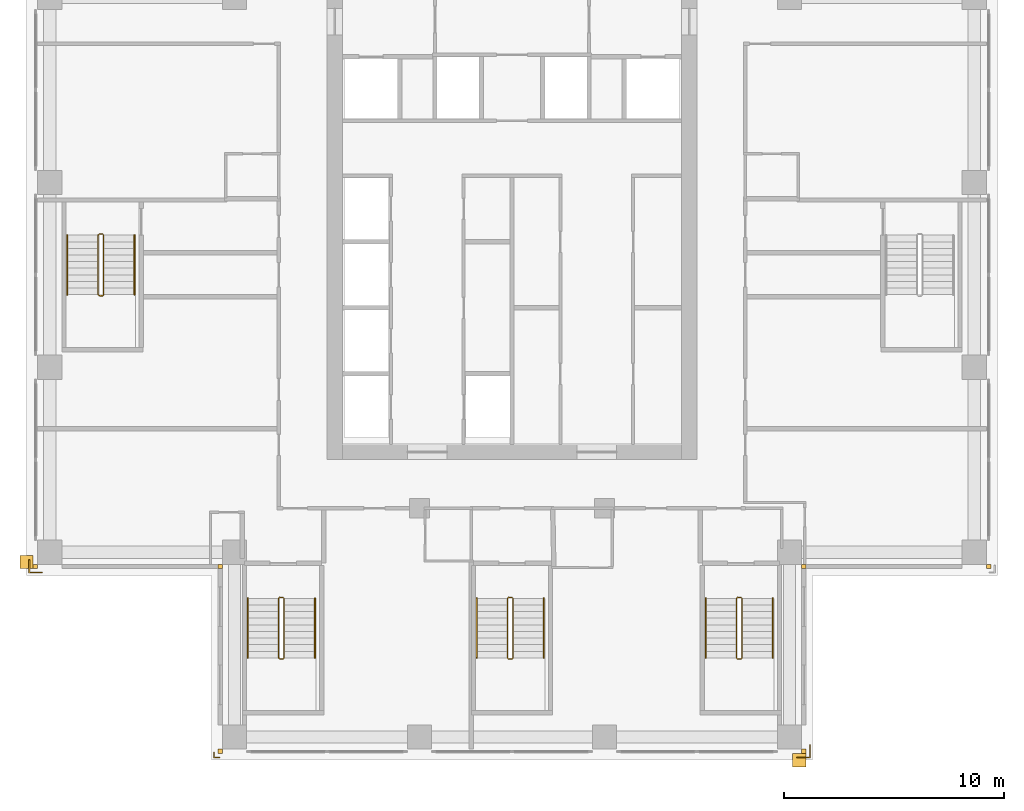
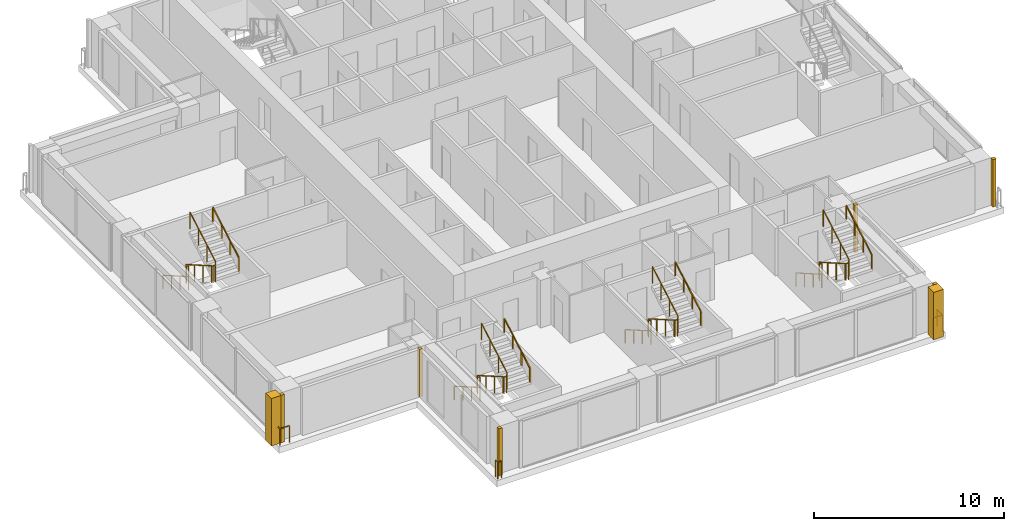
# One storey, part 14 of 16: 15 railings, 8 coverings.
"""IFC4 building model written with IfcOpenShell, lengths in metres."""

from ifc_helpers import new_model, si_unit, direction, frame, origin, origin_2d, place, context, subcontext, project, spatial, polyline, rectangle, outline, extrude, material, type_object, element, save


model = new_model("IFC4")

# Units and contexts
model_context = context("Model", 3, precision=1e-05, world=origin(), true_north=direction((0.0, 1.0)))
body_context = subcontext(model_context, "Body", "Model", "MODEL_VIEW")
ifc_project = project(units=[si_unit("LENGTHUNIT", "METRE"), si_unit("AREAUNIT", "SQUARE_METRE"), si_unit("VOLUMEUNIT", "CUBIC_METRE"), si_unit("PLANEANGLEUNIT", "RADIAN"), si_unit("MASSUNIT", "GRAM", prefix="KILO")], contexts=[model_context])

# Site, building, storey
site_placement = place(None, origin())
site = spatial("IfcSite", under=ifc_project, at=site_placement, CompositionType="ELEMENT")
building_placement = place(site_placement, origin())
building = spatial("IfcBuilding", under=site, at=building_placement, Name="Vermilion Ogive Tower", CompositionType="ELEMENT")
storey_placement = place(building_placement, frame((0.0, 0.0, 140.0)))
storey = spatial("IfcBuildingStorey", under=building, at=storey_placement, Name="L35", CompositionType="ELEMENT", Elevation=140.0)

# Railings
ifc_material_1 = material(Name="Stainless steel", Category="steel")
railing_type_1 = type_object("IfcRailingType", Name="Slab edge guard SG1", PredefinedType="GUARDRAIL", material=ifc_material_1)
railing_1_placement = place(storey_placement, frame((-13.300048828125, -21.929931640625, 0.0)))
element("IfcRailing", 1, at=railing_1_placement, inside=storey, type_object=railing_type_1, Name="L35 slab corner guard", PredefinedType="GUARDRAIL", context=body_context, shape_type="SweptSolid", body=[
    extrude(rectangle(XDim=0.050048828125, YDim=0.050048828125, at=origin_2d()), frame((0.0, 0.0, 1.0751953125), z_axis=(-1.0, 0.0, 0.0), x_axis=(0.0, -1.0, 0.0)), (0.0, 0.0, 1.0), 0.22998046875),
    extrude(rectangle(XDim=0.050048828125, YDim=0.050048828125, at=origin_2d()), frame((-0.22998046875, 0.0, 1.0751953125), z_axis=(0.0, 1.0, 0.0), x_axis=(-1.0, 0.0, 0.0)), (0.0, 0.0, 1.0), 0.22998046875),
    extrude(rectangle(XDim=0.050048828125, YDim=0.050048828125, at=origin_2d()), origin(), (0.0, 0.0, 1.0), 1.050048828125),
    extrude(rectangle(XDim=0.050048828125, YDim=0.050048828125, at=origin_2d()), frame((-0.22998046875, 0.0, 0.0)), (0.0, 0.0, 1.0), 1.050048828125),
    extrude(rectangle(XDim=0.050048828125, YDim=0.050048828125, at=origin_2d()), frame((-0.22998046875, 0.22998046875, 0.0)), (0.0, 0.0, 1.0), 1.050048828125),
])
railing_2_placement = place(storey_placement, frame((12.949951171875, -21.929931640625, 0.0)))
element("IfcRailing", 2, at=railing_2_placement, inside=storey, type_object=railing_type_1, Name="L35 slab corner guard", PredefinedType="GUARDRAIL", context=body_context, shape_type="SweptSolid", body=[
    extrude(rectangle(XDim=0.050048828125, YDim=0.050048828125, at=origin_2d()), frame((0.0, 0.0, 1.0751953125), z_axis=(1.0, 0.0, 0.0), x_axis=(0.0, 1.0, 0.0)), (0.0, 0.0, 1.0), 0.580078125),
    extrude(rectangle(XDim=0.050048828125, YDim=0.050048828125, at=origin_2d()), frame((0.580078125, 0.0, 1.0751953125), z_axis=(0.0, 1.0, 0.0), x_axis=(-1.0, 0.0, 0.0)), (0.0, 0.0, 1.0), 0.579833984375),
    extrude(rectangle(XDim=0.050048828125, YDim=0.050048828125, at=origin_2d()), origin(), (0.0, 0.0, 1.0), 1.050048828125),
    extrude(rectangle(XDim=0.050048828125, YDim=0.050048828125, at=origin_2d()), frame((0.580078125, 0.0, 0.0)), (0.0, 0.0, 1.0), 1.050048828125),
    extrude(rectangle(XDim=0.050048828125, YDim=0.050048828125, at=origin_2d()), frame((0.580078125, 0.579833984375, 0.0)), (0.0, 0.0, 1.0), 1.050048828125),
])
railing_3_placement = place(storey_placement, frame((-21.929931640625, -12.949951171875, 0.0)))
element("IfcRailing", 3, at=railing_3_placement, inside=storey, type_object=railing_type_1, Name="L35 slab corner guard", PredefinedType="GUARDRAIL", context=body_context, shape_type="SweptSolid", body=[
    extrude(rectangle(XDim=0.050048828125, YDim=0.050048828125, at=origin_2d()), frame((0.0, 0.0, 1.0751953125), z_axis=(0.0, -1.0, 0.0), x_axis=(1.0, 0.0, 0.0)), (0.0, 0.0, 1.0), 0.580078125),
    extrude(rectangle(XDim=0.050048828125, YDim=0.050048828125, at=origin_2d()), frame((0.0, -0.580078125, 1.0751953125), z_axis=(1.0, 0.0, 0.0), x_axis=(0.0, 1.0, 0.0)), (0.0, 0.0, 1.0), 0.579833984375),
    extrude(rectangle(XDim=0.050048828125, YDim=0.050048828125, at=origin_2d()), origin(), (0.0, 0.0, 1.0), 1.050048828125),
    extrude(rectangle(XDim=0.050048828125, YDim=0.050048828125, at=origin_2d()), frame((0.0, -0.580078125, 0.0)), (0.0, 0.0, 1.0), 1.050048828125),
    extrude(rectangle(XDim=0.050048828125, YDim=0.050048828125, at=origin_2d()), frame((0.579833984375, -0.580078125, 0.0)), (0.0, 0.0, 1.0), 1.050048828125),
])
ifc_material_2 = material(Name="Steel S355 painted", Category="steel")
railing_type_2 = type_object("IfcRailingType", Name="Stair guard 1100", PredefinedType="GUARDRAIL", material=ifc_material_2)
railing_4_placement = place(storey_placement, frame((-10.39990234375, -14.64990234375, 0.0)))
element("IfcRailing", 4, at=railing_4_placement, inside=storey, type_object=railing_type_2, Name="L35 ST3 stair guard 4", PredefinedType="GUARDRAIL", context=body_context, shape_type="SweptSolid", body=[
    extrude(rectangle(XDim=0.048095703125, YDim=0.048095703125, at=origin_2d()), frame((0.0, 0.0, 1.076171875), z_axis=(-1.0, 0.0, 0.0), x_axis=(0.0, -1.0, 0.0)), (0.0, 0.0, 1.0), 0.150146484375),
    extrude(rectangle(XDim=0.048095703125, YDim=0.048095703125, at=origin_2d()), frame((-0.150146484375, 0.0, 1.076171875), z_axis=(-0.268277960024, -0.268277960024, 0.925231793839), x_axis=(0.707106781187, -0.707106781187, 0.0)), (0.0, 0.0, 1.0), 0.1865234375),
    extrude(rectangle(XDim=0.048095703125, YDim=0.048095703125, at=origin_2d()), frame((-0.2001953125, -0.050048828125, 1.24853515625), z_axis=(0.0, -0.866903762492, 0.498475542607), x_axis=(1.0, 0.0, 0.0)), (0.0, 0.0, 1.0), 3.114501953125),
    extrude(rectangle(XDim=0.048095703125, YDim=0.048095703125, at=origin_2d()), frame((-0.2001953125, -2.75, 2.80126953125), z_axis=(0.707106781187, -0.707106781187, 0.0), x_axis=(0.707106781187, 0.707106781187, 0.0)), (0.0, 0.0, 1.0), 0.07080078125),
    extrude(rectangle(XDim=0.048095703125, YDim=0.048095703125, at=origin_2d()), frame((-0.150146484375, -2.800048828125, 2.80126953125), z_axis=(1.0, 0.0, 0.0), x_axis=(0.0, 1.0, 0.0)), (0.0, 0.0, 1.0), 0.150146484375),
    extrude(rectangle(XDim=0.048095703125, YDim=0.048095703125, at=origin_2d()), frame((0.0, -2.800048828125, 2.80126953125), z_axis=(0.267386790225, 0.268697509785, 0.925368009307), x_axis=(-0.708833529934, 0.705375805398, 0.0)), (0.0, 0.0, 1.0), 0.186279296875),
    extrude(rectangle(XDim=0.048095703125, YDim=0.048095703125, at=origin_2d()), frame((0.0498046875, -2.75, 2.9736328125), z_axis=(0.0, 0.866903762492, 0.498475542607), x_axis=(-1.0, 0.0, 0.0)), (0.0, 0.0, 1.0), 3.114501953125),
    extrude(rectangle(XDim=0.0419921875, YDim=0.0419921875, at=origin_2d()), origin(), (0.0, 0.0, 1.0), 1.052001953125),
    extrude(rectangle(XDim=0.0419921875, YDim=0.0419921875, at=origin_2d()), frame((-0.150146484375, 0.0, 0.0)), (0.0, 0.0, 1.0), 1.052001953125),
    extrude(rectangle(XDim=0.0419921875, YDim=0.0419921875, at=origin_2d()), frame((-0.2001953125, -0.050048828125, 0.172607421875)), (0.0, 0.0, 1.0), 1.052001953125),
    extrude(rectangle(XDim=0.0419921875, YDim=0.0419921875, at=origin_2d()), frame((-0.2001953125, -0.949951171875, 0.690185546875)), (0.0, 0.0, 1.0), 1.052001953125),
    extrude(rectangle(XDim=0.0419921875, YDim=0.0419921875, at=origin_2d()), frame((-0.2001953125, -1.85009765625, 1.20751953125)), (0.0, 0.0, 1.0), 1.052001953125),
    extrude(rectangle(XDim=0.0419921875, YDim=0.0419921875, at=origin_2d()), frame((-0.2001953125, -2.75, 1.72509765625)), (0.0, 0.0, 1.0), 1.052001953125),
    extrude(rectangle(XDim=0.0419921875, YDim=0.0419921875, at=origin_2d()), frame((-0.150146484375, -2.800048828125, 1.72509765625)), (0.0, 0.0, 1.0), 1.052001953125),
    extrude(rectangle(XDim=0.0419921875, YDim=0.0419921875, at=origin_2d()), frame((0.0, -2.800048828125, 1.72509765625)), (0.0, 0.0, 1.0), 1.052001953125),
    extrude(rectangle(XDim=0.0419921875, YDim=0.0419921875, at=origin_2d()), frame((0.0498046875, -2.75, 1.8974609375)), (0.0, 0.0, 1.0), 1.052001953125),
    extrude(rectangle(XDim=0.0419921875, YDim=0.0419921875, at=origin_2d()), frame((0.0498046875, -1.85009765625, 2.4150390625)), (0.0, 0.0, 1.0), 1.052001953125),
    extrude(rectangle(XDim=0.0419921875, YDim=0.0419921875, at=origin_2d()), frame((0.0498046875, -0.949951171875, 2.932373046875)), (0.0, 0.0, 1.0), 1.052001953125),
    extrude(rectangle(XDim=0.0419921875, YDim=0.0419921875, at=origin_2d()), frame((0.0498046875, -0.050048828125, 3.449951171875)), (0.0, 0.0, 1.0), 1.052001953125),
])
railing_5_placement = place(storey_placement, frame((0.0, -14.64990234375, 0.0)))
element("IfcRailing", 5, at=railing_5_placement, inside=storey, type_object=railing_type_2, Name="L35 ST4 stair guard 4", PredefinedType="GUARDRAIL", context=body_context, shape_type="SweptSolid", body=[
    extrude(rectangle(XDim=0.048095703125, YDim=0.048095703125, at=origin_2d()), frame((0.0, 0.0, 1.076171875), z_axis=(-1.0, 0.0, 0.0), x_axis=(0.0, -1.0, 0.0)), (0.0, 0.0, 1.0), 0.14990234375),
    extrude(rectangle(XDim=0.048095703125, YDim=0.048095703125, at=origin_2d()), frame((-0.14990234375, 0.0, 1.076171875), z_axis=(-0.268277960024, -0.268277960024, 0.925231793839), x_axis=(0.707106781187, -0.707106781187, 0.0)), (0.0, 0.0, 1.0), 0.1865234375),
    extrude(rectangle(XDim=0.048095703125, YDim=0.048095703125, at=origin_2d()), frame((-0.199951171875, -0.050048828125, 1.24853515625), z_axis=(0.0, -0.866903762492, 0.498475542607), x_axis=(1.0, 0.0, 0.0)), (0.0, 0.0, 1.0), 3.114501953125),
    extrude(rectangle(XDim=0.048095703125, YDim=0.048095703125, at=origin_2d()), frame((-0.199951171875, -2.75, 2.80126953125), z_axis=(0.707106781187, -0.707106781187, 0.0), x_axis=(0.707106781187, 0.707106781187, 0.0)), (0.0, 0.0, 1.0), 0.07080078125),
    extrude(rectangle(XDim=0.048095703125, YDim=0.048095703125, at=origin_2d()), frame((-0.14990234375, -2.800048828125, 2.80126953125), z_axis=(1.0, 0.0, 0.0), x_axis=(0.0, 1.0, 0.0)), (0.0, 0.0, 1.0), 0.14990234375),
    extrude(rectangle(XDim=0.048095703125, YDim=0.048095703125, at=origin_2d()), frame((0.0, -2.800048828125, 2.80126953125), z_axis=(0.268603158521, 0.268603158521, 0.925043072762), x_axis=(-0.707106781187, 0.707106781187, 0.0)), (0.0, 0.0, 1.0), 0.186279296875),
    extrude(rectangle(XDim=0.048095703125, YDim=0.048095703125, at=origin_2d()), frame((0.050048828125, -2.75, 2.9736328125), z_axis=(0.0, 0.866903762492, 0.498475542607), x_axis=(-1.0, 0.0, 0.0)), (0.0, 0.0, 1.0), 3.114501953125),
    extrude(rectangle(XDim=0.0419921875, YDim=0.0419921875, at=origin_2d()), origin(), (0.0, 0.0, 1.0), 1.052001953125),
    extrude(rectangle(XDim=0.0419921875, YDim=0.0419921875, at=origin_2d()), frame((-0.14990234375, 0.0, 0.0)), (0.0, 0.0, 1.0), 1.052001953125),
    extrude(rectangle(XDim=0.0419921875, YDim=0.0419921875, at=origin_2d()), frame((-0.199951171875, -0.050048828125, 0.172607421875)), (0.0, 0.0, 1.0), 1.052001953125),
    extrude(rectangle(XDim=0.0419921875, YDim=0.0419921875, at=origin_2d()), frame((-0.199951171875, -0.949951171875, 0.690185546875)), (0.0, 0.0, 1.0), 1.052001953125),
    extrude(rectangle(XDim=0.0419921875, YDim=0.0419921875, at=origin_2d()), frame((-0.199951171875, -1.85009765625, 1.20751953125)), (0.0, 0.0, 1.0), 1.052001953125),
    extrude(rectangle(XDim=0.0419921875, YDim=0.0419921875, at=origin_2d()), frame((-0.199951171875, -2.75, 1.72509765625)), (0.0, 0.0, 1.0), 1.052001953125),
    extrude(rectangle(XDim=0.0419921875, YDim=0.0419921875, at=origin_2d()), frame((-0.14990234375, -2.800048828125, 1.72509765625)), (0.0, 0.0, 1.0), 1.052001953125),
    extrude(rectangle(XDim=0.0419921875, YDim=0.0419921875, at=origin_2d()), frame((0.0, -2.800048828125, 1.72509765625)), (0.0, 0.0, 1.0), 1.052001953125),
    extrude(rectangle(XDim=0.0419921875, YDim=0.0419921875, at=origin_2d()), frame((0.050048828125, -2.75, 1.8974609375)), (0.0, 0.0, 1.0), 1.052001953125),
    extrude(rectangle(XDim=0.0419921875, YDim=0.0419921875, at=origin_2d()), frame((0.050048828125, -1.85009765625, 2.4150390625)), (0.0, 0.0, 1.0), 1.052001953125),
    extrude(rectangle(XDim=0.0419921875, YDim=0.0419921875, at=origin_2d()), frame((0.050048828125, -0.949951171875, 2.932373046875)), (0.0, 0.0, 1.0), 1.052001953125),
    extrude(rectangle(XDim=0.0419921875, YDim=0.0419921875, at=origin_2d()), frame((0.050048828125, -0.050048828125, 3.449951171875)), (0.0, 0.0, 1.0), 1.052001953125),
])
railing_6_placement = place(storey_placement, frame((10.39990234375, -14.64990234375, 0.0)))
element("IfcRailing", 6, at=railing_6_placement, inside=storey, type_object=railing_type_2, Name="L35 ST5 stair guard 4", PredefinedType="GUARDRAIL", context=body_context, shape_type="SweptSolid", body=[
    extrude(rectangle(XDim=0.048095703125, YDim=0.048095703125, at=origin_2d()), frame((0.0, 0.0, 1.076171875), z_axis=(-1.0, 0.0, 0.0), x_axis=(0.0, -1.0, 0.0)), (0.0, 0.0, 1.0), 0.14990234375),
    extrude(rectangle(XDim=0.048095703125, YDim=0.048095703125, at=origin_2d()), frame((-0.14990234375, 0.0, 1.076171875), z_axis=(-0.268277960024, -0.268277960024, 0.925231793839), x_axis=(0.707106781187, -0.707106781187, 0.0)), (0.0, 0.0, 1.0), 0.1865234375),
    extrude(rectangle(XDim=0.048095703125, YDim=0.048095703125, at=origin_2d()), frame((-0.199951171875, -0.050048828125, 1.24853515625), z_axis=(0.0, -0.866903762492, 0.498475542607), x_axis=(1.0, 0.0, 0.0)), (0.0, 0.0, 1.0), 3.114501953125),
    extrude(rectangle(XDim=0.048095703125, YDim=0.048095703125, at=origin_2d()), frame((-0.199951171875, -2.75, 2.80126953125), z_axis=(0.707106781187, -0.707106781187, 0.0), x_axis=(0.707106781187, 0.707106781187, 0.0)), (0.0, 0.0, 1.0), 0.07080078125),
    extrude(rectangle(XDim=0.048095703125, YDim=0.048095703125, at=origin_2d()), frame((-0.14990234375, -2.800048828125, 2.80126953125), z_axis=(1.0, 0.0, 0.0), x_axis=(0.0, 1.0, 0.0)), (0.0, 0.0, 1.0), 0.14990234375),
    extrude(rectangle(XDim=0.048095703125, YDim=0.048095703125, at=origin_2d()), frame((0.0, -2.800048828125, 2.80126953125), z_axis=(0.268603158521, 0.268603158521, 0.925043072762), x_axis=(-0.707106781187, 0.707106781187, 0.0)), (0.0, 0.0, 1.0), 0.186279296875),
    extrude(rectangle(XDim=0.048095703125, YDim=0.048095703125, at=origin_2d()), frame((0.050048828125, -2.75, 2.9736328125), z_axis=(0.0, 0.866903762492, 0.498475542607), x_axis=(-1.0, 0.0, 0.0)), (0.0, 0.0, 1.0), 3.114501953125),
    extrude(rectangle(XDim=0.0419921875, YDim=0.0419921875, at=origin_2d()), origin(), (0.0, 0.0, 1.0), 1.052001953125),
    extrude(rectangle(XDim=0.0419921875, YDim=0.0419921875, at=origin_2d()), frame((-0.14990234375, 0.0, 0.0)), (0.0, 0.0, 1.0), 1.052001953125),
    extrude(rectangle(XDim=0.0419921875, YDim=0.0419921875, at=origin_2d()), frame((-0.199951171875, -0.050048828125, 0.172607421875)), (0.0, 0.0, 1.0), 1.052001953125),
    extrude(rectangle(XDim=0.0419921875, YDim=0.0419921875, at=origin_2d()), frame((-0.199951171875, -0.949951171875, 0.690185546875)), (0.0, 0.0, 1.0), 1.052001953125),
    extrude(rectangle(XDim=0.0419921875, YDim=0.0419921875, at=origin_2d()), frame((-0.199951171875, -1.85009765625, 1.20751953125)), (0.0, 0.0, 1.0), 1.052001953125),
    extrude(rectangle(XDim=0.0419921875, YDim=0.0419921875, at=origin_2d()), frame((-0.199951171875, -2.75, 1.72509765625)), (0.0, 0.0, 1.0), 1.052001953125),
    extrude(rectangle(XDim=0.0419921875, YDim=0.0419921875, at=origin_2d()), frame((-0.14990234375, -2.800048828125, 1.72509765625)), (0.0, 0.0, 1.0), 1.052001953125),
    extrude(rectangle(XDim=0.0419921875, YDim=0.0419921875, at=origin_2d()), frame((0.0, -2.800048828125, 1.72509765625)), (0.0, 0.0, 1.0), 1.052001953125),
    extrude(rectangle(XDim=0.0419921875, YDim=0.0419921875, at=origin_2d()), frame((0.050048828125, -2.75, 1.8974609375)), (0.0, 0.0, 1.0), 1.052001953125),
    extrude(rectangle(XDim=0.0419921875, YDim=0.0419921875, at=origin_2d()), frame((0.050048828125, -1.85009765625, 2.4150390625)), (0.0, 0.0, 1.0), 1.052001953125),
    extrude(rectangle(XDim=0.0419921875, YDim=0.0419921875, at=origin_2d()), frame((0.050048828125, -0.949951171875, 2.932373046875)), (0.0, 0.0, 1.0), 1.052001953125),
    extrude(rectangle(XDim=0.0419921875, YDim=0.0419921875, at=origin_2d()), frame((0.050048828125, -0.050048828125, 3.449951171875)), (0.0, 0.0, 1.0), 1.052001953125),
])
railing_7_placement = place(storey_placement, frame((-18.60009765625, 1.85009765625, 0.0)))
element("IfcRailing", 7, at=railing_7_placement, inside=storey, type_object=railing_type_2, Name="L35 ST9 stair guard 4", PredefinedType="GUARDRAIL", context=body_context, shape_type="SweptSolid", body=[
    extrude(rectangle(XDim=0.048095703125, YDim=0.048095703125, at=origin_2d()), frame((0.0, 0.0, 1.076171875), z_axis=(-1.0, 0.0, 0.0), x_axis=(0.0, -1.0, 0.0)), (0.0, 0.0, 1.0), 0.14990234375),
    extrude(rectangle(XDim=0.048095703125, YDim=0.048095703125, at=origin_2d()), frame((-0.14990234375, 0.0, 1.076171875), z_axis=(-0.268277960024, -0.268277960024, 0.925231793839), x_axis=(0.707106781187, -0.707106781187, 0.0)), (0.0, 0.0, 1.0), 0.1865234375),
    extrude(rectangle(XDim=0.048095703125, YDim=0.048095703125, at=origin_2d()), frame((-0.199951171875, -0.050048828125, 1.24853515625), z_axis=(0.0, -0.866903762492, 0.498475542607), x_axis=(1.0, 0.0, 0.0)), (0.0, 0.0, 1.0), 3.114501953125),
    extrude(rectangle(XDim=0.048095703125, YDim=0.048095703125, at=origin_2d()), frame((-0.199951171875, -2.75, 2.80126953125), z_axis=(0.707106781187, -0.707106781187, 0.0), x_axis=(0.707106781187, 0.707106781187, 0.0)), (0.0, 0.0, 1.0), 0.07080078125),
    extrude(rectangle(XDim=0.048095703125, YDim=0.048095703125, at=origin_2d()), frame((-0.14990234375, -2.800048828125, 2.80126953125), z_axis=(1.0, 0.0, 0.0), x_axis=(0.0, 1.0, 0.0)), (0.0, 0.0, 1.0), 0.14990234375),
    extrude(rectangle(XDim=0.048095703125, YDim=0.048095703125, at=origin_2d()), frame((0.0, -2.800048828125, 2.80126953125), z_axis=(0.268603158521, 0.268603158521, 0.925043072762), x_axis=(-0.707106781187, 0.707106781187, 0.0)), (0.0, 0.0, 1.0), 0.186279296875),
    extrude(rectangle(XDim=0.048095703125, YDim=0.048095703125, at=origin_2d()), frame((0.050048828125, -2.75, 2.9736328125), z_axis=(0.0, 0.866903762492, 0.498475542607), x_axis=(-1.0, 0.0, 0.0)), (0.0, 0.0, 1.0), 3.114501953125),
    extrude(rectangle(XDim=0.0419921875, YDim=0.0419921875, at=origin_2d()), origin(), (0.0, 0.0, 1.0), 1.052001953125),
    extrude(rectangle(XDim=0.0419921875, YDim=0.0419921875, at=origin_2d()), frame((-0.14990234375, 0.0, 0.0)), (0.0, 0.0, 1.0), 1.052001953125),
    extrude(rectangle(XDim=0.0419921875, YDim=0.0419921875, at=origin_2d()), frame((-0.199951171875, -0.050048828125, 0.172607421875)), (0.0, 0.0, 1.0), 1.052001953125),
    extrude(rectangle(XDim=0.0419921875, YDim=0.0419921875, at=origin_2d()), frame((-0.199951171875, -0.949951171875, 0.690185546875)), (0.0, 0.0, 1.0), 1.052001953125),
    extrude(rectangle(XDim=0.0419921875, YDim=0.0419921875, at=origin_2d()), frame((-0.199951171875, -1.85009765625, 1.20751953125)), (0.0, 0.0, 1.0), 1.052001953125),
    extrude(rectangle(XDim=0.0419921875, YDim=0.0419921875, at=origin_2d()), frame((-0.199951171875, -2.75, 1.72509765625)), (0.0, 0.0, 1.0), 1.052001953125),
    extrude(rectangle(XDim=0.0419921875, YDim=0.0419921875, at=origin_2d()), frame((-0.14990234375, -2.800048828125, 1.72509765625)), (0.0, 0.0, 1.0), 1.052001953125),
    extrude(rectangle(XDim=0.0419921875, YDim=0.0419921875, at=origin_2d()), frame((0.0, -2.800048828125, 1.72509765625)), (0.0, 0.0, 1.0), 1.052001953125),
    extrude(rectangle(XDim=0.0419921875, YDim=0.0419921875, at=origin_2d()), frame((0.050048828125, -2.75, 1.8974609375)), (0.0, 0.0, 1.0), 1.052001953125),
    extrude(rectangle(XDim=0.0419921875, YDim=0.0419921875, at=origin_2d()), frame((0.050048828125, -1.85009765625, 2.4150390625)), (0.0, 0.0, 1.0), 1.052001953125),
    extrude(rectangle(XDim=0.0419921875, YDim=0.0419921875, at=origin_2d()), frame((0.050048828125, -0.949951171875, 2.932373046875)), (0.0, 0.0, 1.0), 1.052001953125),
    extrude(rectangle(XDim=0.0419921875, YDim=0.0419921875, at=origin_2d()), frame((0.050048828125, -0.050048828125, 3.449951171875)), (0.0, 0.0, 1.0), 1.052001953125),
])
ifc_material_3 = material(Name="Stainless steel", Category="steel")
railing_type_3 = type_object("IfcRailingType", Name="Stair handrail 900", PredefinedType="HANDRAIL", material=ifc_material_3)
railing_8_placement = place(storey_placement, frame((-12.0, -14.699951171875, 0.172607421875)))
element("IfcRailing", 8, at=railing_8_placement, inside=storey, type_object=railing_type_3, Name="L35 ST3 stair handrail 1", PredefinedType="HANDRAIL", context=body_context, shape_type="SweptSolid", body=[
    extrude(rectangle(XDim=0.048095703125, YDim=0.048095703125, at=origin_2d()), frame((0.0, 0.0, 0.8759765625), z_axis=(0.0, -0.866903762492, 0.498475542607), x_axis=(1.0, 0.0, 0.0)), (0.0, 0.0, 1.0), 3.114501953125),
    extrude(rectangle(XDim=0.0419921875, YDim=0.0419921875, at=origin_2d()), origin(), (0.0, 0.0, 1.0), 0.851806640625),
    extrude(rectangle(XDim=0.0419921875, YDim=0.0419921875, at=origin_2d()), frame((0.0, -0.89990234375, 0.517578125)), (0.0, 0.0, 1.0), 0.851806640625),
    extrude(rectangle(XDim=0.0419921875, YDim=0.0419921875, at=origin_2d()), frame((0.0, -1.800048828125, 1.034912109375)), (0.0, 0.0, 1.0), 0.851806640625),
    extrude(rectangle(XDim=0.0419921875, YDim=0.0419921875, at=origin_2d()), frame((0.0, -2.699951171875, 1.552490234375)), (0.0, 0.0, 1.0), 0.851806640625),
])
railing_9_placement = place(storey_placement, frame((-8.949951171875, -17.39990234375, 1.8974609375)))
element("IfcRailing", 9, at=railing_9_placement, inside=storey, type_object=railing_type_3, Name="L35 ST3 stair handrail 2", PredefinedType="HANDRAIL", context=body_context, shape_type="SweptSolid", body=[
    extrude(rectangle(XDim=0.048095703125, YDim=0.048095703125, at=origin_2d()), frame((0.0, 0.0, 0.8759765625), z_axis=(0.0, 0.866903762492, 0.498475542607), x_axis=(-1.0, 0.0, 0.0)), (0.0, 0.0, 1.0), 3.114501953125),
    extrude(rectangle(XDim=0.0419921875, YDim=0.0419921875, at=origin_2d()), origin(), (0.0, 0.0, 1.0), 0.851806640625),
    extrude(rectangle(XDim=0.0419921875, YDim=0.0419921875, at=origin_2d()), frame((0.0, 0.89990234375, 0.517578125)), (0.0, 0.0, 1.0), 0.851806640625),
    extrude(rectangle(XDim=0.0419921875, YDim=0.0419921875, at=origin_2d()), frame((0.0, 1.800048828125, 1.034912109375)), (0.0, 0.0, 1.0), 0.851806640625),
    extrude(rectangle(XDim=0.0419921875, YDim=0.0419921875, at=origin_2d()), frame((0.0, 2.699951171875, 1.552490234375)), (0.0, 0.0, 1.0), 0.851806640625),
])
railing_10_placement = place(storey_placement, frame((-1.60009765625, -14.699951171875, 0.172607421875)))
element("IfcRailing", 10, at=railing_10_placement, inside=storey, type_object=railing_type_3, Name="L35 ST4 stair handrail 1", PredefinedType="HANDRAIL", context=body_context, shape_type="SweptSolid", body=[
    extrude(rectangle(XDim=0.048095703125, YDim=0.048095703125, at=origin_2d()), frame((0.0, 0.0, 0.8759765625), z_axis=(0.0, -0.866903762492, 0.498475542607), x_axis=(1.0, 0.0, 0.0)), (0.0, 0.0, 1.0), 3.114501953125),
    extrude(rectangle(XDim=0.0419921875, YDim=0.0419921875, at=origin_2d()), origin(), (0.0, 0.0, 1.0), 0.851806640625),
    extrude(rectangle(XDim=0.0419921875, YDim=0.0419921875, at=origin_2d()), frame((0.0, -0.89990234375, 0.517578125)), (0.0, 0.0, 1.0), 0.851806640625),
    extrude(rectangle(XDim=0.0419921875, YDim=0.0419921875, at=origin_2d()), frame((0.0, -1.800048828125, 1.034912109375)), (0.0, 0.0, 1.0), 0.851806640625),
    extrude(rectangle(XDim=0.0419921875, YDim=0.0419921875, at=origin_2d()), frame((0.0, -2.699951171875, 1.552490234375)), (0.0, 0.0, 1.0), 0.851806640625),
])
railing_11_placement = place(storey_placement, frame((1.449951171875, -17.39990234375, 1.8974609375)))
element("IfcRailing", 11, at=railing_11_placement, inside=storey, type_object=railing_type_3, Name="L35 ST4 stair handrail 2", PredefinedType="HANDRAIL", context=body_context, shape_type="SweptSolid", body=[
    extrude(rectangle(XDim=0.048095703125, YDim=0.048095703125, at=origin_2d()), frame((0.0, 0.0, 0.8759765625), z_axis=(0.0, 0.866903762492, 0.498475542607), x_axis=(-1.0, 0.0, 0.0)), (0.0, 0.0, 1.0), 3.114501953125),
    extrude(rectangle(XDim=0.0419921875, YDim=0.0419921875, at=origin_2d()), origin(), (0.0, 0.0, 1.0), 0.851806640625),
    extrude(rectangle(XDim=0.0419921875, YDim=0.0419921875, at=origin_2d()), frame((0.0, 0.89990234375, 0.517578125)), (0.0, 0.0, 1.0), 0.851806640625),
    extrude(rectangle(XDim=0.0419921875, YDim=0.0419921875, at=origin_2d()), frame((0.0, 1.800048828125, 1.034912109375)), (0.0, 0.0, 1.0), 0.851806640625),
    extrude(rectangle(XDim=0.0419921875, YDim=0.0419921875, at=origin_2d()), frame((0.0, 2.699951171875, 1.552490234375)), (0.0, 0.0, 1.0), 0.851806640625),
])
railing_12_placement = place(storey_placement, frame((8.800048828125, -14.699951171875, 0.172607421875)))
element("IfcRailing", 12, at=railing_12_placement, inside=storey, type_object=railing_type_3, Name="L35 ST5 stair handrail 1", PredefinedType="HANDRAIL", context=body_context, shape_type="SweptSolid", body=[
    extrude(rectangle(XDim=0.048095703125, YDim=0.048095703125, at=origin_2d()), frame((0.0, 0.0, 0.8759765625), z_axis=(0.0, -0.866903762492, 0.498475542607), x_axis=(1.0, 0.0, 0.0)), (0.0, 0.0, 1.0), 3.114501953125),
    extrude(rectangle(XDim=0.0419921875, YDim=0.0419921875, at=origin_2d()), origin(), (0.0, 0.0, 1.0), 0.851806640625),
    extrude(rectangle(XDim=0.0419921875, YDim=0.0419921875, at=origin_2d()), frame((0.0, -0.89990234375, 0.517578125)), (0.0, 0.0, 1.0), 0.851806640625),
    extrude(rectangle(XDim=0.0419921875, YDim=0.0419921875, at=origin_2d()), frame((0.0, -1.800048828125, 1.034912109375)), (0.0, 0.0, 1.0), 0.851806640625),
    extrude(rectangle(XDim=0.0419921875, YDim=0.0419921875, at=origin_2d()), frame((0.0, -2.699951171875, 1.552490234375)), (0.0, 0.0, 1.0), 0.851806640625),
])
railing_13_placement = place(storey_placement, frame((11.85009765625, -17.39990234375, 1.8974609375)))
element("IfcRailing", 13, at=railing_13_placement, inside=storey, type_object=railing_type_3, Name="L35 ST5 stair handrail 2", PredefinedType="HANDRAIL", context=body_context, shape_type="SweptSolid", body=[
    extrude(rectangle(XDim=0.048095703125, YDim=0.048095703125, at=origin_2d()), frame((0.0, 0.0, 0.8759765625), z_axis=(0.0, 0.866903762492, 0.498475542607), x_axis=(-1.0, 0.0, 0.0)), (0.0, 0.0, 1.0), 3.114501953125),
    extrude(rectangle(XDim=0.0419921875, YDim=0.0419921875, at=origin_2d()), origin(), (0.0, 0.0, 1.0), 0.851806640625),
    extrude(rectangle(XDim=0.0419921875, YDim=0.0419921875, at=origin_2d()), frame((0.0, 0.89990234375, 0.517578125)), (0.0, 0.0, 1.0), 0.851806640625),
    extrude(rectangle(XDim=0.0419921875, YDim=0.0419921875, at=origin_2d()), frame((0.0, 1.800048828125, 1.034912109375)), (0.0, 0.0, 1.0), 0.851806640625),
    extrude(rectangle(XDim=0.0419921875, YDim=0.0419921875, at=origin_2d()), frame((0.0, 2.699951171875, 1.552490234375)), (0.0, 0.0, 1.0), 0.851806640625),
])
railing_14_placement = place(storey_placement, frame((-20.199951171875, 1.800048828125, 0.172607421875)))
element("IfcRailing", 14, at=railing_14_placement, inside=storey, type_object=railing_type_3, Name="L35 ST9 stair handrail 1", PredefinedType="HANDRAIL", context=body_context, shape_type="SweptSolid", body=[
    extrude(rectangle(XDim=0.048095703125, YDim=0.048095703125, at=origin_2d()), frame((0.0, 0.0, 0.8759765625), z_axis=(0.0, -0.866903762492, 0.498475542607), x_axis=(1.0, 0.0, 0.0)), (0.0, 0.0, 1.0), 3.114501953125),
    extrude(rectangle(XDim=0.0419921875, YDim=0.0419921875, at=origin_2d()), origin(), (0.0, 0.0, 1.0), 0.851806640625),
    extrude(rectangle(XDim=0.0419921875, YDim=0.0419921875, at=origin_2d()), frame((0.0, -0.89990234375, 0.517578125)), (0.0, 0.0, 1.0), 0.851806640625),
    extrude(rectangle(XDim=0.0419921875, YDim=0.0419921875, at=origin_2d()), frame((0.0, -1.800048828125, 1.034912109375)), (0.0, 0.0, 1.0), 0.851806640625),
    extrude(rectangle(XDim=0.0419921875, YDim=0.0419921875, at=origin_2d()), frame((0.0, -2.699951171875, 1.552490234375)), (0.0, 0.0, 1.0), 0.851806640625),
])
railing_15_placement = place(storey_placement, frame((-17.14990234375, -0.89990234375, 1.8974609375)))
element("IfcRailing", 15, at=railing_15_placement, inside=storey, type_object=railing_type_3, Name="L35 ST9 stair handrail 2", PredefinedType="HANDRAIL", context=body_context, shape_type="SweptSolid", body=[
    extrude(rectangle(XDim=0.048095703125, YDim=0.048095703125, at=origin_2d()), frame((0.0, 0.0, 0.8759765625), z_axis=(0.0, 0.866903762492, 0.498475542607), x_axis=(-1.0, 0.0, 0.0)), (0.0, 0.0, 1.0), 3.114501953125),
    extrude(rectangle(XDim=0.0419921875, YDim=0.0419921875, at=origin_2d()), origin(), (0.0, 0.0, 1.0), 0.851806640625),
    extrude(rectangle(XDim=0.0419921875, YDim=0.0419921875, at=origin_2d()), frame((0.0, 0.89990234375, 0.517578125)), (0.0, 0.0, 1.0), 0.851806640625),
    extrude(rectangle(XDim=0.0419921875, YDim=0.0419921875, at=origin_2d()), frame((0.0, 1.800048828125, 1.034912109375)), (0.0, 0.0, 1.0), 0.851806640625),
    extrude(rectangle(XDim=0.0419921875, YDim=0.0419921875, at=origin_2d()), frame((0.0, 2.699951171875, 1.552490234375)), (0.0, 0.0, 1.0), 0.851806640625),
])

# Coverings
ifc_material_4 = material(Name="Stone cladding", Category="masonry")
covering_type_1 = type_object("IfcCoveringType", Name="Stone corner buttress", PredefinedType="CLADDING", material=ifc_material_4)
covering_1_placement = place(storey_placement, origin())
element("IfcCovering", 16, at=covering_1_placement, inside=storey, type_object=covering_type_1, Name="Stone crease pier SK", PredefinedType="CLADDING", context=body_context, shape_type="SweptSolid", body=[
    extrude(outline(polyline([(12.75, -22.35009765625), (13.35009765625, -22.35009765625), (13.35009765625, -21.75), (12.75, -21.75), (12.75, -22.35009765625)])), origin(), (0.0, 0.0, 1.0), 3.050048828125),
])
covering_2_placement = place(storey_placement, origin())
element("IfcCovering", 17, at=covering_2_placement, inside=storey, type_object=covering_type_1, Name="Stone crease pier WK", PredefinedType="CLADDING", context=body_context, shape_type="SweptSolid", body=[
    extrude(outline(polyline([(-22.35009765625, -12.75), (-22.35009765625, -13.35009765625), (-21.75, -13.35009765625), (-21.75, -12.75), (-22.35009765625, -12.75)])), origin(), (0.0, 0.0, 1.0), 3.050048828125),
])
ifc_material_5 = material(Name="Stone cladding", Category="masonry")
covering_type_2 = type_object("IfcCoveringType", Name="Stone pier", PredefinedType="CLADDING", material=ifc_material_5)
covering_3_placement = place(storey_placement, origin())
element("IfcCovering", 18, at=covering_3_placement, inside=storey, type_object=covering_type_2, Name="Stone corner pier SE1", PredefinedType="CLADDING", context=body_context, shape_type="SweptSolid", body=[
    extrude(outline(polyline([(13.14990234375, -21.75), (13.14990234375, -21.550048828125), (13.35009765625, -21.550048828125), (13.35009765625, -21.75), (13.14990234375, -21.75)])), origin(), (0.0, 0.0, 1.0), 3.050048828125),
])
covering_4_placement = place(storey_placement, origin())
element("IfcCovering", 19, at=covering_4_placement, inside=storey, type_object=covering_type_2, Name="Stone corner pier X1E1", PredefinedType="CLADDING", context=body_context, shape_type="SweptSolid", body=[
    extrude(outline(polyline([(13.14990234375, -13.14990234375), (13.35009765625, -13.14990234375), (13.35009765625, -13.35009765625), (13.14990234375, -13.35009765625), (13.14990234375, -13.14990234375)])), origin(), (0.0, 0.0, 1.0), 3.050048828125),
])
covering_5_placement = place(storey_placement, origin())
element("IfcCovering", 20, at=covering_5_placement, inside=storey, type_object=covering_type_2, Name="Stone corner pier X2E1", PredefinedType="CLADDING", context=body_context, shape_type="SweptSolid", body=[
    extrude(outline(polyline([(21.550048828125, -13.35009765625), (21.550048828125, -13.14990234375), (21.75, -13.14990234375), (21.75, -13.35009765625), (21.550048828125, -13.35009765625)])), origin(), (0.0, 0.0, 1.0), 3.050048828125),
])
covering_6_placement = place(storey_placement, origin())
element("IfcCovering", 21, at=covering_6_placement, inside=storey, type_object=covering_type_2, Name="Stone corner pier WE1", PredefinedType="CLADDING", context=body_context, shape_type="SweptSolid", body=[
    extrude(outline(polyline([(-21.75, -13.14990234375), (-21.550048828125, -13.14990234375), (-21.550048828125, -13.35009765625), (-21.75, -13.35009765625), (-21.75, -13.14990234375)])), origin(), (0.0, 0.0, 1.0), 3.050048828125),
])
covering_7_placement = place(storey_placement, origin())
element("IfcCovering", 22, at=covering_7_placement, inside=storey, type_object=covering_type_2, Name="Stone corner pier X7E1", PredefinedType="CLADDING", context=body_context, shape_type="SweptSolid", body=[
    extrude(outline(polyline([(-13.14990234375, -13.14990234375), (-13.14990234375, -13.35009765625), (-13.35009765625, -13.35009765625), (-13.35009765625, -13.14990234375), (-13.14990234375, -13.14990234375)])), origin(), (0.0, 0.0, 1.0), 3.050048828125),
])
covering_8_placement = place(storey_placement, origin())
element("IfcCovering", 23, at=covering_8_placement, inside=storey, type_object=covering_type_2, Name="Stone corner pier X8E1", PredefinedType="CLADDING", context=body_context, shape_type="SweptSolid", body=[
    extrude(outline(polyline([(-13.35009765625, -21.550048828125), (-13.14990234375, -21.550048828125), (-13.14990234375, -21.75), (-13.35009765625, -21.75), (-13.35009765625, -21.550048828125)])), origin(), (0.0, 0.0, 1.0), 3.050048828125),
])

save(model, "model.ifc")
